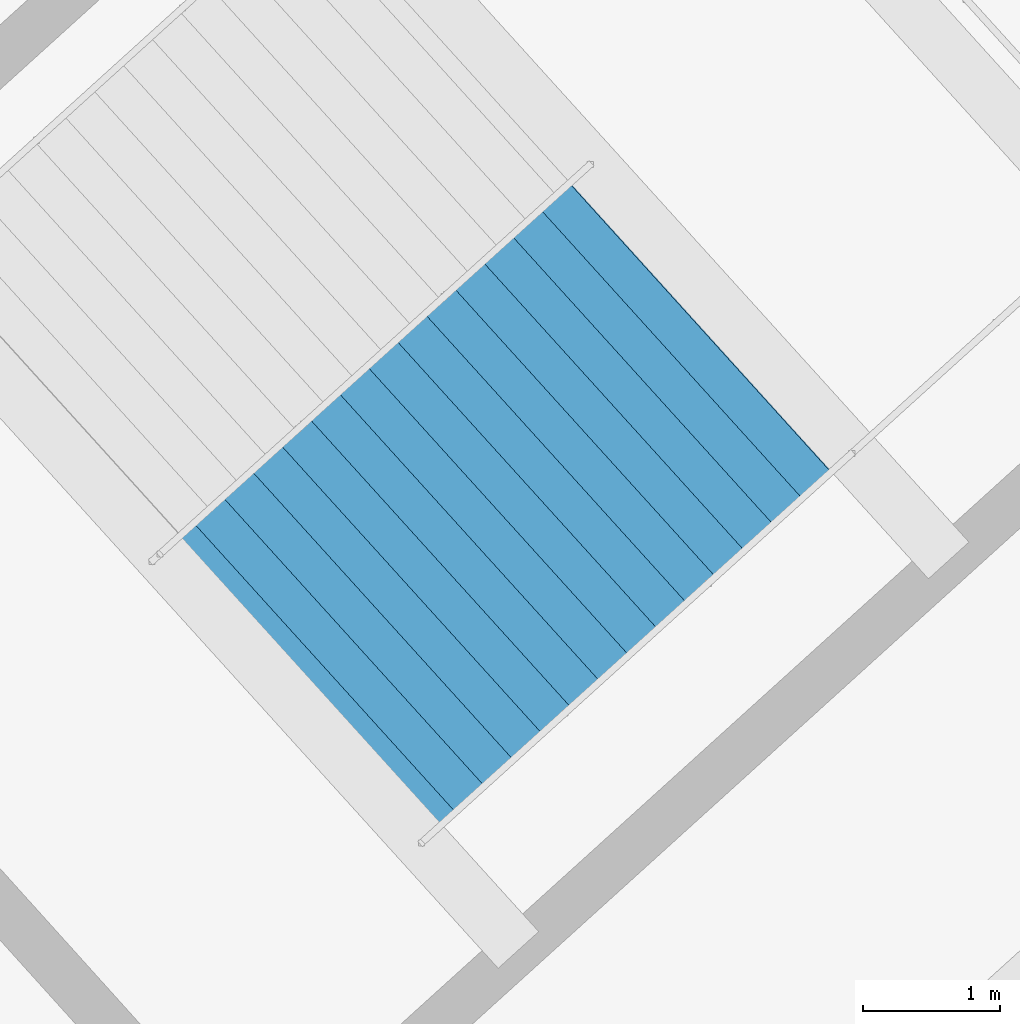
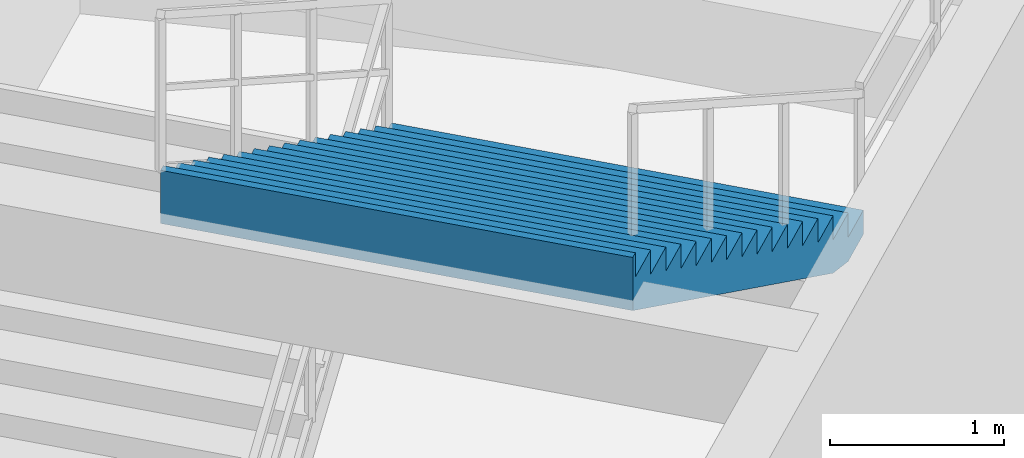
# One storey, part 27 of 49: 1 stair flight, 1 element without a shape of its own.
"""IFC4 building model written with IfcOpenShell, lengths in metres."""

from ifc_helpers import new_model, si_unit, direction, frame, origin, place, context, subcontext, project, spatial, polygons, material, type_object, element, aggregate, save


model = new_model("IFC4")

# Units and contexts
model_context = context("Model", 3, precision=1e-05, world=origin(), true_north=direction((0.0, 1.0)))
body_context = subcontext(model_context, "Body", "Model", "MODEL_VIEW")
ifc_project = project(units=[si_unit("LENGTHUNIT", "METRE"), si_unit("AREAUNIT", "SQUARE_METRE"), si_unit("VOLUMEUNIT", "CUBIC_METRE"), si_unit("PLANEANGLEUNIT", "RADIAN"), si_unit("MASSUNIT", "GRAM", prefix="KILO")], contexts=[model_context])

# Site, building, storey
site_placement = place(None, origin())
site = spatial("IfcSite", under=ifc_project, at=site_placement, CompositionType="ELEMENT")
building_placement = place(site_placement, origin())
building = spatial("IfcBuilding", under=site, at=building_placement, Name="Kazemori Nagisa Stadium", CompositionType="ELEMENT")
storey_placement = place(building_placement, frame((0.0, 0.0, -5.43994140625)))
storey = spatial("IfcBuildingStorey", under=building, at=storey_placement, Name="B1", CompositionType="ELEMENT", Elevation=-5.43994140625)

# Stair, stair flight
ifc_material = material(Name="Concrete C36/45 (Fc36)", Category="concrete")
stair_type = type_object("IfcStairType", Name="Stair_CORE_32", PredefinedType="TWO_STRAIGHT_RUN_STAIR", material=ifc_material)
stair_placement = place(storey_placement, origin())
stair = element("IfcStair", 1, at=stair_placement, inside=storey, type_object=stair_type, Name="Exit stair ST04 B1", PredefinedType="TWO_STRAIGHT_RUN_STAIR")
stair_flight_type = type_object("IfcStairFlightType", Name="Flight_CORE_16", PredefinedType="STRAIGHT", material=ifc_material)
stair_flight_placement = place(storey_placement, frame((187.9541015625, 40.25390625, 2.719970703125), z_axis=(0.0, 0.0, 1.0), x_axis=(-0.741328742395, -0.671142083093, 0.0)))
stair_flight = element("IfcStairFlight", 2, at=stair_flight_placement, type_object=stair_flight_type, Name="Exit stair ST04 B1 flight 2", NumberOfRisers=16, NumberOfTreads=15, PredefinedType="STRAIGHT", RiserHeight=0.17, TreadLength=0.285, context=body_context, shape_type="Tessellation", body=[
    polygons([(0.0, -1.425048828125, 0.0), (0.0, -1.425048828125, 0.169921875), (0.284912109375, -1.425048828125, 0.169921875), (0.284912109375, -1.425048828125, 0.340087890625), (0.570068359375, -1.425048828125, 0.340087890625), (0.570068359375, -1.425048828125, 0.510009765625), (0.85498046875, -1.425048828125, 0.510009765625), (0.85498046875, -1.425048828125, 0.679931640625), (1.139892578125, -1.425048828125, 0.679931640625), (1.139892578125, -1.425048828125, 0.85009765625), (1.425048828125, -1.425048828125, 0.85009765625), (1.425048828125, -1.425048828125, 1.02001953125), (1.7099609375, -1.425048828125, 1.02001953125), (1.7099609375, -1.425048828125, 1.18994140625), (1.9951171875, -1.425048828125, 1.18994140625), (1.9951171875, -1.425048828125, 1.360107421875), (2.280029296875, -1.425048828125, 1.360107421875), (2.280029296875, -1.425048828125, 1.530029296875), (2.56494140625, -1.425048828125, 1.530029296875), (2.56494140625, -1.425048828125, 1.699951171875), (2.85009765625, -1.425048828125, 1.699951171875), (2.85009765625, -1.425048828125, 1.8701171875), (3.135009765625, -1.425048828125, 1.8701171875), (3.135009765625, -1.425048828125, 2.0400390625), (3.419921875, -1.425048828125, 2.0400390625), (3.419921875, -1.425048828125, 2.2099609375), (3.705078125, -1.425048828125, 2.2099609375), (3.705078125, -1.425048828125, 2.3798828125), (3.989990234375, -1.425048828125, 2.3798828125), (3.989990234375, -1.425048828125, 2.550048828125), (4.27490234375, -1.425048828125, 2.550048828125), (4.27490234375, -1.425048828125, 2.719970703125), (4.324951171875, -1.425048828125, 2.719970703125), (4.324951171875, -1.425048828125, 2.346923828125), (4.27490234375, -1.425048828125, 2.317138671875), (3.989990234375, -1.425048828125, 2.147216796875), (3.705078125, -1.425048828125, 1.977294921875), (3.419921875, -1.425048828125, 1.80712890625), (3.135009765625, -1.425048828125, 1.63720703125), (2.85009765625, -1.425048828125, 1.46728515625), (2.56494140625, -1.425048828125, 1.297119140625), (2.280029296875, -1.425048828125, 1.127197265625), (1.9951171875, -1.425048828125, 0.957275390625), (1.7099609375, -1.425048828125, 0.787109375), (1.425048828125, -1.425048828125, 0.6171875), (1.139892578125, -1.425048828125, 0.447265625), (0.85498046875, -1.425048828125, 0.277099609375), (0.570068359375, -1.425048828125, 0.107177734375), (0.284912109375, -1.425048828125, 0.0), (0.0, -0.08544921875, 0.0), (0.0, -0.08544921875, 0.169921875), (0.284912109375, -0.08544921875, 0.169921875), (0.284912109375, -0.08544921875, 0.340087890625), (0.570068359375, -0.08544921875, 0.340087890625), (0.570068359375, -0.08544921875, 0.510009765625), (0.85498046875, -0.08544921875, 0.510009765625), (0.85498046875, -0.08544921875, 0.679931640625), (1.139892578125, -0.08544921875, 0.679931640625), (1.139892578125, -0.08544921875, 0.85009765625), (1.425048828125, -0.08544921875, 0.85009765625), (1.425048828125, -0.08544921875, 1.02001953125), (1.7099609375, -0.08544921875, 1.02001953125), (1.7099609375, -0.08544921875, 1.18994140625), (1.9951171875, -0.08544921875, 1.18994140625), (1.9951171875, -0.08544921875, 1.360107421875), (2.280029296875, -0.08544921875, 1.360107421875), (2.280029296875, -0.08544921875, 1.530029296875), (2.56494140625, -0.08544921875, 1.530029296875), (2.56494140625, -0.08544921875, 1.699951171875), (2.85009765625, -0.08544921875, 1.699951171875), (2.85009765625, -0.08544921875, 1.8701171875), (3.135009765625, -0.08544921875, 1.8701171875), (3.135009765625, -0.08544921875, 2.0400390625), (3.419921875, -0.08544921875, 2.0400390625), (3.419921875, -0.08544921875, 2.2099609375), (3.705078125, -0.08544921875, 2.2099609375), (3.705078125, -0.08544921875, 2.3798828125), (3.989990234375, -0.08544921875, 2.3798828125), (3.989990234375, -0.08544921875, 2.550048828125), (4.27490234375, -0.08544921875, 2.550048828125), (4.27490234375, -0.08544921875, 2.719970703125), (4.324951171875, -0.08544921875, 2.719970703125), (4.324951171875, -0.08544921875, 2.346923828125), (4.27490234375, -0.08544921875, 2.317138671875), (3.989990234375, -0.08544921875, 2.147216796875), (3.705078125, -0.08544921875, 1.977294921875), (3.419921875, -0.08544921875, 1.80712890625), (3.135009765625, -0.08544921875, 1.63720703125), (2.85009765625, -0.08544921875, 1.46728515625), (2.56494140625, -0.08544921875, 1.297119140625), (2.280029296875, -0.08544921875, 1.127197265625), (1.9951171875, -0.08544921875, 0.957275390625), (1.7099609375, -0.08544921875, 0.787109375), (1.425048828125, -0.08544921875, 0.6171875), (1.139892578125, -0.08544921875, 0.447265625), (0.85498046875, -0.08544921875, 0.277099609375), (0.570068359375, -0.08544921875, 0.107177734375), (0.284912109375, -0.08544921875, 0.0), (0.0, 0.0, 0.0), (0.0, 0.0, 0.169921875), (0.284912109375, 0.0, 0.169921875), (0.284912109375, 0.0, 0.340087890625), (0.570068359375, 0.0, 0.340087890625), (0.570068359375, 0.0, 0.510009765625), (0.85498046875, 0.0, 0.510009765625), (0.85498046875, 0.0, 0.679931640625), (1.139892578125, 0.0, 0.679931640625), (1.139892578125, 0.0, 0.85009765625), (1.425048828125, 0.0, 0.85009765625), (1.425048828125, 0.0, 1.02001953125), (1.7099609375, 0.0, 1.02001953125), (1.7099609375, 0.0, 1.18994140625), (1.9951171875, 0.0, 1.18994140625), (1.9951171875, 0.0, 1.360107421875), (2.280029296875, 0.0, 1.360107421875), (2.280029296875, 0.0, 1.530029296875), (2.56494140625, 0.0, 1.530029296875), (2.56494140625, 0.0, 1.699951171875), (2.85009765625, 0.0, 1.699951171875), (2.85009765625, 0.0, 1.8701171875), (3.135009765625, 0.0, 1.8701171875), (3.135009765625, 0.0, 2.0400390625), (3.419921875, 0.0, 2.0400390625), (3.419921875, 0.0, 2.2099609375), (3.705078125, 0.0, 2.2099609375), (3.705078125, 0.0, 2.3798828125), (3.989990234375, 0.0, 2.3798828125), (3.989990234375, 0.0, 2.550048828125), (4.27490234375, 0.0, 2.550048828125), (4.27490234375, 0.0, 2.719970703125), (4.324951171875, 0.0, 2.719970703125), (4.324951171875, 0.0, 2.346923828125), (4.27490234375, 0.0, 2.317138671875), (3.989990234375, 0.0, 2.147216796875), (3.705078125, 0.0, 1.977294921875), (3.419921875, 0.0, 1.80712890625), (3.135009765625, 0.0, 1.63720703125), (2.85009765625, 0.0, 1.46728515625), (2.56494140625, 0.0, 1.297119140625), (2.280029296875, 0.0, 1.127197265625), (1.9951171875, 0.0, 0.957275390625), (1.7099609375, 0.0, 0.787109375), (1.425048828125, 0.0, 0.6171875), (1.139892578125, 0.0, 0.447265625), (0.85498046875, 0.0, 0.277099609375), (0.570068359375, 0.0, 0.107177734375), (0.284912109375, 0.0, 0.0), (0.0, 0.08544921875, 0.0), (0.0, 0.08544921875, 0.169921875), (0.284912109375, 0.08544921875, 0.169921875), (0.284912109375, 0.08544921875, 0.340087890625), (0.570068359375, 0.08544921875, 0.340087890625), (0.570068359375, 0.08544921875, 0.510009765625), (0.85498046875, 0.08544921875, 0.510009765625), (0.85498046875, 0.08544921875, 0.679931640625), (1.139892578125, 0.08544921875, 0.679931640625), (1.139892578125, 0.08544921875, 0.85009765625), (1.425048828125, 0.08544921875, 0.85009765625), (1.425048828125, 0.08544921875, 1.02001953125), (1.7099609375, 0.08544921875, 1.02001953125), (1.7099609375, 0.08544921875, 1.18994140625), (1.9951171875, 0.08544921875, 1.18994140625), (1.9951171875, 0.08544921875, 1.360107421875), (2.280029296875, 0.08544921875, 1.360107421875), (2.280029296875, 0.08544921875, 1.530029296875), (2.56494140625, 0.08544921875, 1.530029296875), (2.56494140625, 0.08544921875, 1.699951171875), (2.85009765625, 0.08544921875, 1.699951171875), (2.85009765625, 0.08544921875, 1.8701171875), (3.135009765625, 0.08544921875, 1.8701171875), (3.135009765625, 0.08544921875, 2.0400390625), (3.419921875, 0.08544921875, 2.0400390625), (3.419921875, 0.08544921875, 2.2099609375), (3.705078125, 0.08544921875, 2.2099609375), (3.705078125, 0.08544921875, 2.3798828125), (3.989990234375, 0.08544921875, 2.3798828125), (3.989990234375, 0.08544921875, 2.550048828125), (4.27490234375, 0.08544921875, 2.550048828125), (4.27490234375, 0.08544921875, 2.719970703125), (4.324951171875, 0.08544921875, 2.719970703125), (4.324951171875, 0.08544921875, 2.346923828125), (4.27490234375, 0.08544921875, 2.317138671875), (3.989990234375, 0.08544921875, 2.147216796875), (3.705078125, 0.08544921875, 1.977294921875), (3.419921875, 0.08544921875, 1.80712890625), (3.135009765625, 0.08544921875, 1.63720703125), (2.85009765625, 0.08544921875, 1.46728515625), (2.56494140625, 0.08544921875, 1.297119140625), (2.280029296875, 0.08544921875, 1.127197265625), (1.9951171875, 0.08544921875, 0.957275390625), (1.7099609375, 0.08544921875, 0.787109375), (1.425048828125, 0.08544921875, 0.6171875), (1.139892578125, 0.08544921875, 0.447265625), (0.85498046875, 0.08544921875, 0.277099609375), (0.570068359375, 0.08544921875, 0.107177734375), (0.284912109375, 0.08544921875, 0.0), (0.0, 1.425048828125, 0.0), (0.0, 1.425048828125, 0.169921875), (0.284912109375, 1.425048828125, 0.169921875), (0.284912109375, 1.425048828125, 0.340087890625), (0.570068359375, 1.425048828125, 0.340087890625), (0.570068359375, 1.425048828125, 0.510009765625), (0.85498046875, 1.425048828125, 0.510009765625), (0.85498046875, 1.425048828125, 0.679931640625), (1.139892578125, 1.425048828125, 0.679931640625), (1.139892578125, 1.425048828125, 0.85009765625), (1.425048828125, 1.425048828125, 0.85009765625), (1.425048828125, 1.425048828125, 1.02001953125), (1.7099609375, 1.425048828125, 1.02001953125), (1.7099609375, 1.425048828125, 1.18994140625), (1.9951171875, 1.425048828125, 1.18994140625), (1.9951171875, 1.425048828125, 1.360107421875), (2.280029296875, 1.425048828125, 1.360107421875), (2.280029296875, 1.425048828125, 1.530029296875), (2.56494140625, 1.425048828125, 1.530029296875), (2.56494140625, 1.425048828125, 1.699951171875), (2.85009765625, 1.425048828125, 1.699951171875), (2.85009765625, 1.425048828125, 1.8701171875), (3.135009765625, 1.425048828125, 1.8701171875), (3.135009765625, 1.425048828125, 2.0400390625), (3.419921875, 1.425048828125, 2.0400390625), (3.419921875, 1.425048828125, 2.2099609375), (3.705078125, 1.425048828125, 2.2099609375), (3.705078125, 1.425048828125, 2.3798828125), (3.989990234375, 1.425048828125, 2.3798828125), (3.989990234375, 1.425048828125, 2.550048828125), (4.27490234375, 1.425048828125, 2.550048828125), (4.27490234375, 1.425048828125, 2.719970703125), (4.324951171875, 1.425048828125, 2.719970703125), (4.324951171875, 1.425048828125, 2.346923828125), (4.27490234375, 1.425048828125, 2.317138671875), (3.989990234375, 1.425048828125, 2.147216796875), (3.705078125, 1.425048828125, 1.977294921875), (3.419921875, 1.425048828125, 1.80712890625), (3.135009765625, 1.425048828125, 1.63720703125), (2.85009765625, 1.425048828125, 1.46728515625), (2.56494140625, 1.425048828125, 1.297119140625), (2.280029296875, 1.425048828125, 1.127197265625), (1.9951171875, 1.425048828125, 0.957275390625), (1.7099609375, 1.425048828125, 0.787109375), (1.425048828125, 1.425048828125, 0.6171875), (1.139892578125, 1.425048828125, 0.447265625), (0.85498046875, 1.425048828125, 0.277099609375), (0.570068359375, 1.425048828125, 0.107177734375), (0.284912109375, 1.425048828125, 0.0)], [[[1, 2, 51]], [[1, 51, 50]], [[2, 3, 52]], [[2, 52, 51]], [[3, 4, 53]], [[3, 53, 52]], [[4, 5, 54]], [[4, 54, 53]], [[5, 6, 55]], [[5, 55, 54]], [[6, 7, 56]], [[6, 56, 55]], [[7, 8, 57]], [[7, 57, 56]], [[8, 9, 58]], [[8, 58, 57]], [[9, 10, 59]], [[9, 59, 58]], [[10, 11, 60]], [[10, 60, 59]], [[11, 12, 61]], [[11, 61, 60]], [[12, 13, 62]], [[12, 62, 61]], [[13, 14, 63]], [[13, 63, 62]], [[14, 15, 64]], [[14, 64, 63]], [[15, 16, 65]], [[15, 65, 64]], [[16, 17, 66]], [[16, 66, 65]], [[17, 18, 67]], [[17, 67, 66]], [[18, 19, 68]], [[18, 68, 67]], [[19, 20, 69]], [[19, 69, 68]], [[20, 21, 70]], [[20, 70, 69]], [[21, 22, 71]], [[21, 71, 70]], [[22, 23, 72]], [[22, 72, 71]], [[23, 24, 73]], [[23, 73, 72]], [[24, 25, 74]], [[24, 74, 73]], [[25, 26, 75]], [[25, 75, 74]], [[26, 27, 76]], [[26, 76, 75]], [[27, 28, 77]], [[27, 77, 76]], [[28, 29, 78]], [[28, 78, 77]], [[29, 30, 79]], [[29, 79, 78]], [[30, 31, 80]], [[30, 80, 79]], [[31, 32, 81]], [[31, 81, 80]], [[32, 33, 82]], [[32, 82, 81]], [[33, 34, 83]], [[33, 83, 82]], [[34, 35, 84]], [[34, 84, 83]], [[35, 36, 85]], [[35, 85, 84]], [[36, 37, 86]], [[36, 86, 85]], [[37, 38, 87]], [[37, 87, 86]], [[38, 39, 88]], [[38, 88, 87]], [[39, 40, 89]], [[39, 89, 88]], [[40, 41, 90]], [[40, 90, 89]], [[41, 42, 91]], [[41, 91, 90]], [[42, 43, 92]], [[42, 92, 91]], [[43, 44, 93]], [[43, 93, 92]], [[44, 45, 94]], [[44, 94, 93]], [[45, 46, 95]], [[45, 95, 94]], [[46, 47, 96]], [[46, 96, 95]], [[47, 48, 97]], [[47, 97, 96]], [[48, 49, 98]], [[48, 98, 97]], [[49, 1, 50]], [[49, 50, 98]], [[50, 51, 100]], [[50, 100, 99]], [[51, 52, 101]], [[51, 101, 100]], [[52, 53, 102]], [[52, 102, 101]], [[53, 54, 103]], [[53, 103, 102]], [[54, 55, 104]], [[54, 104, 103]], [[55, 56, 105]], [[55, 105, 104]], [[56, 57, 106]], [[56, 106, 105]], [[57, 58, 107]], [[57, 107, 106]], [[58, 59, 108]], [[58, 108, 107]], [[59, 60, 109]], [[59, 109, 108]], [[60, 61, 110]], [[60, 110, 109]], [[61, 62, 111]], [[61, 111, 110]], [[62, 63, 112]], [[62, 112, 111]], [[63, 64, 113]], [[63, 113, 112]], [[64, 65, 114]], [[64, 114, 113]], [[65, 66, 115]], [[65, 115, 114]], [[66, 67, 116]], [[66, 116, 115]], [[67, 68, 117]], [[67, 117, 116]], [[68, 69, 118]], [[68, 118, 117]], [[69, 70, 119]], [[69, 119, 118]], [[70, 71, 120]], [[70, 120, 119]], [[71, 72, 121]], [[71, 121, 120]], [[72, 73, 122]], [[72, 122, 121]], [[73, 74, 123]], [[73, 123, 122]], [[74, 75, 124]], [[74, 124, 123]], [[75, 76, 125]], [[75, 125, 124]], [[76, 77, 126]], [[76, 126, 125]], [[77, 78, 127]], [[77, 127, 126]], [[78, 79, 128]], [[78, 128, 127]], [[79, 80, 129]], [[79, 129, 128]], [[80, 81, 130]], [[80, 130, 129]], [[81, 82, 131]], [[81, 131, 130]], [[82, 83, 132]], [[82, 132, 131]], [[83, 84, 133]], [[83, 133, 132]], [[84, 85, 134]], [[84, 134, 133]], [[85, 86, 135]], [[85, 135, 134]], [[86, 87, 136]], [[86, 136, 135]], [[87, 88, 137]], [[87, 137, 136]], [[88, 89, 138]], [[88, 138, 137]], [[89, 90, 139]], [[89, 139, 138]], [[90, 91, 140]], [[90, 140, 139]], [[91, 92, 141]], [[91, 141, 140]], [[92, 93, 142]], [[92, 142, 141]], [[93, 94, 143]], [[93, 143, 142]], [[94, 95, 144]], [[94, 144, 143]], [[95, 96, 145]], [[95, 145, 144]], [[96, 97, 146]], [[96, 146, 145]], [[97, 98, 147]], [[97, 147, 146]], [[98, 50, 99]], [[98, 99, 147]], [[99, 100, 149]], [[99, 149, 148]], [[100, 101, 150]], [[100, 150, 149]], [[101, 102, 151]], [[101, 151, 150]], [[102, 103, 152]], [[102, 152, 151]], [[103, 104, 153]], [[103, 153, 152]], [[104, 105, 154]], [[104, 154, 153]], [[105, 106, 155]], [[105, 155, 154]], [[106, 107, 156]], [[106, 156, 155]], [[107, 108, 157]], [[107, 157, 156]], [[108, 109, 158]], [[108, 158, 157]], [[109, 110, 159]], [[109, 159, 158]], [[110, 111, 160]], [[110, 160, 159]], [[111, 112, 161]], [[111, 161, 160]], [[112, 113, 162]], [[112, 162, 161]], [[113, 114, 163]], [[113, 163, 162]], [[114, 115, 164]], [[114, 164, 163]], [[115, 116, 165]], [[115, 165, 164]], [[116, 117, 166]], [[116, 166, 165]], [[117, 118, 167]], [[117, 167, 166]], [[118, 119, 168]], [[118, 168, 167]], [[119, 120, 169]], [[119, 169, 168]], [[120, 121, 170]], [[120, 170, 169]], [[121, 122, 171]], [[121, 171, 170]], [[122, 123, 172]], [[122, 172, 171]], [[123, 124, 173]], [[123, 173, 172]], [[124, 125, 174]], [[124, 174, 173]], [[125, 126, 175]], [[125, 175, 174]], [[126, 127, 176]], [[126, 176, 175]], [[127, 128, 177]], [[127, 177, 176]], [[128, 129, 178]], [[128, 178, 177]], [[129, 130, 179]], [[129, 179, 178]], [[130, 131, 180]], [[130, 180, 179]], [[131, 132, 181]], [[131, 181, 180]], [[132, 133, 182]], [[132, 182, 181]], [[133, 134, 183]], [[133, 183, 182]], [[134, 135, 184]], [[134, 184, 183]], [[135, 136, 185]], [[135, 185, 184]], [[136, 137, 186]], [[136, 186, 185]], [[137, 138, 187]], [[137, 187, 186]], [[138, 139, 188]], [[138, 188, 187]], [[139, 140, 189]], [[139, 189, 188]], [[140, 141, 190]], [[140, 190, 189]], [[141, 142, 191]], [[141, 191, 190]], [[142, 143, 192]], [[142, 192, 191]], [[143, 144, 193]], [[143, 193, 192]], [[144, 145, 194]], [[144, 194, 193]], [[145, 146, 195]], [[145, 195, 194]], [[146, 147, 196]], [[146, 196, 195]], [[147, 99, 148]], [[147, 148, 196]], [[148, 149, 198]], [[148, 198, 197]], [[149, 150, 199]], [[149, 199, 198]], [[150, 151, 200]], [[150, 200, 199]], [[151, 152, 201]], [[151, 201, 200]], [[152, 153, 202]], [[152, 202, 201]], [[153, 154, 203]], [[153, 203, 202]], [[154, 155, 204]], [[154, 204, 203]], [[155, 156, 205]], [[155, 205, 204]], [[156, 157, 206]], [[156, 206, 205]], [[157, 158, 207]], [[157, 207, 206]], [[158, 159, 208]], [[158, 208, 207]], [[159, 160, 209]], [[159, 209, 208]], [[160, 161, 210]], [[160, 210, 209]], [[161, 162, 211]], [[161, 211, 210]], [[162, 163, 212]], [[162, 212, 211]], [[163, 164, 213]], [[163, 213, 212]], [[164, 165, 214]], [[164, 214, 213]], [[165, 166, 215]], [[165, 215, 214]], [[166, 167, 216]], [[166, 216, 215]], [[167, 168, 217]], [[167, 217, 216]], [[168, 169, 218]], [[168, 218, 217]], [[169, 170, 219]], [[169, 219, 218]], [[170, 171, 220]], [[170, 220, 219]], [[171, 172, 221]], [[171, 221, 220]], [[172, 173, 222]], [[172, 222, 221]], [[173, 174, 223]], [[173, 223, 222]], [[174, 175, 224]], [[174, 224, 223]], [[175, 176, 225]], [[175, 225, 224]], [[176, 177, 226]], [[176, 226, 225]], [[177, 178, 227]], [[177, 227, 226]], [[178, 179, 228]], [[178, 228, 227]], [[179, 180, 229]], [[179, 229, 228]], [[180, 181, 230]], [[180, 230, 229]], [[181, 182, 231]], [[181, 231, 230]], [[182, 183, 232]], [[182, 232, 231]], [[183, 184, 233]], [[183, 233, 232]], [[184, 185, 234]], [[184, 234, 233]], [[185, 186, 235]], [[185, 235, 234]], [[186, 187, 236]], [[186, 236, 235]], [[187, 188, 237]], [[187, 237, 236]], [[188, 189, 238]], [[188, 238, 237]], [[189, 190, 239]], [[189, 239, 238]], [[190, 191, 240]], [[190, 240, 239]], [[191, 192, 241]], [[191, 241, 240]], [[192, 193, 242]], [[192, 242, 241]], [[193, 194, 243]], [[193, 243, 242]], [[194, 195, 244]], [[194, 244, 243]], [[195, 196, 245]], [[195, 245, 244]], [[196, 148, 197]], [[196, 197, 245]], [[3, 2, 1]], [[197, 198, 199]], [[49, 3, 1]], [[197, 199, 245]], [[48, 3, 49]], [[245, 199, 244]], [[5, 3, 48]], [[244, 199, 201]], [[5, 4, 3]], [[199, 200, 201]], [[47, 5, 48]], [[244, 201, 243]], [[7, 5, 47]], [[243, 201, 203]], [[7, 6, 5]], [[201, 202, 203]], [[46, 7, 47]], [[243, 203, 242]], [[9, 7, 46]], [[242, 203, 205]], [[9, 8, 7]], [[203, 204, 205]], [[45, 9, 46]], [[242, 205, 241]], [[11, 9, 45]], [[241, 205, 207]], [[11, 10, 9]], [[205, 206, 207]], [[44, 11, 45]], [[241, 207, 240]], [[13, 11, 44]], [[240, 207, 209]], [[13, 12, 11]], [[207, 208, 209]], [[43, 13, 44]], [[240, 209, 239]], [[15, 13, 43]], [[239, 209, 211]], [[15, 14, 13]], [[209, 210, 211]], [[42, 15, 43]], [[239, 211, 238]], [[17, 15, 42]], [[238, 211, 213]], [[17, 16, 15]], [[211, 212, 213]], [[41, 17, 42]], [[238, 213, 237]], [[19, 17, 41]], [[237, 213, 215]], [[19, 18, 17]], [[213, 214, 215]], [[40, 19, 41]], [[237, 215, 236]], [[21, 19, 40]], [[236, 215, 217]], [[21, 20, 19]], [[215, 216, 217]], [[39, 21, 40]], [[236, 217, 235]], [[23, 21, 39]], [[235, 217, 219]], [[23, 22, 21]], [[217, 218, 219]], [[38, 23, 39]], [[235, 219, 234]], [[25, 23, 38]], [[234, 219, 221]], [[25, 24, 23]], [[219, 220, 221]], [[37, 25, 38]], [[234, 221, 233]], [[27, 25, 37]], [[233, 221, 223]], [[27, 26, 25]], [[221, 222, 223]], [[36, 27, 37]], [[233, 223, 232]], [[29, 27, 36]], [[232, 223, 225]], [[29, 28, 27]], [[223, 224, 225]], [[35, 29, 36]], [[232, 225, 231]], [[31, 29, 35]], [[231, 225, 227]], [[31, 30, 29]], [[225, 226, 227]], [[34, 31, 35]], [[231, 227, 230]], [[33, 31, 34]], [[230, 227, 229]], [[33, 32, 31]], [[227, 228, 229]]], closed=True),
])
aggregate(stair, [stair_flight])

save(model, "model.ifc")
